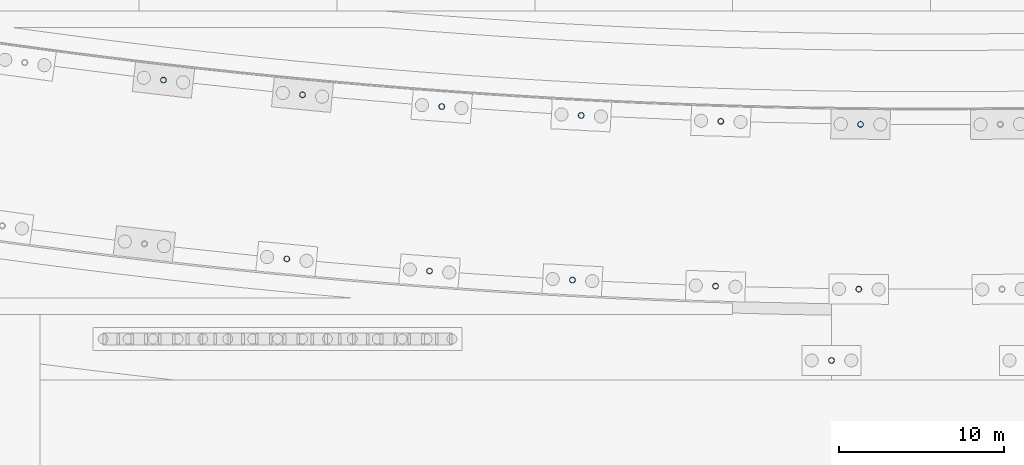
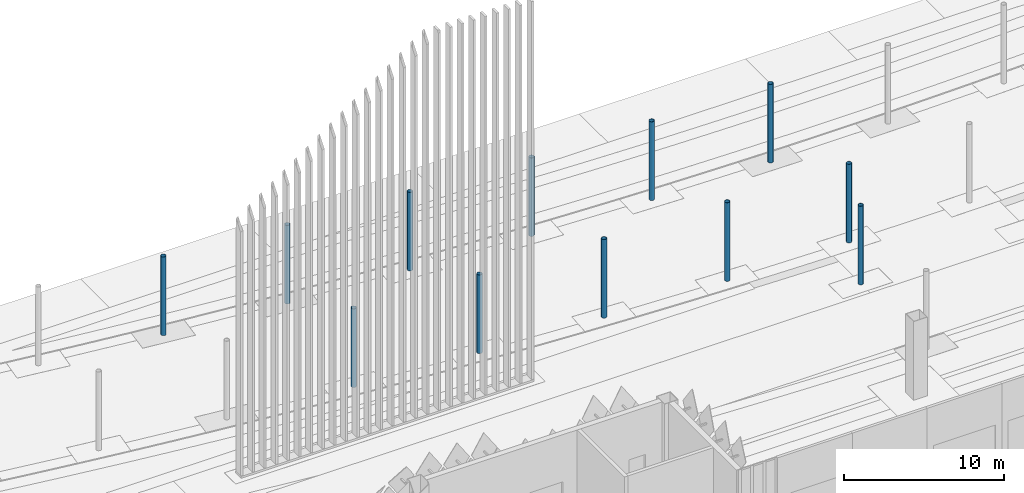
# One storey, part 27 of 198: 12 columns.
"""IFC4 building model written with IfcOpenShell, lengths in metres."""

from ifc_helpers import new_model, si_unit, direction, frame, origin, origin_2d, place, context, subcontext, project, spatial, hollow_circle, extrude, material, material_profile, profile_set, type_object, element, save


model = new_model("IFC4")

# Units and contexts
model_context = context("Model", 3, precision=1e-05, world=origin(), true_north=direction((0.0, 1.0)))
body_context = subcontext(model_context, "Body", "Model", "MODEL_VIEW")
ifc_project = project(units=[si_unit("LENGTHUNIT", "METRE"), si_unit("AREAUNIT", "SQUARE_METRE"), si_unit("VOLUMEUNIT", "CUBIC_METRE"), si_unit("PLANEANGLEUNIT", "RADIAN"), si_unit("MASSUNIT", "GRAM", prefix="KILO")], contexts=[model_context])

# Site, building, storey
site_placement = place(None, origin())
site = spatial("IfcSite", under=ifc_project, at=site_placement, CompositionType="ELEMENT")
building_placement = place(site_placement, origin())
building = spatial("IfcBuilding", under=site, at=building_placement, Name="Opaline Strait Convention Centre", CompositionType="ELEMENT")
storey_placement = place(building_placement, origin())
storey = spatial("IfcBuildingStorey", under=building, at=storey_placement, Name="L00", CompositionType="ELEMENT", Elevation=0.0)

# Columns
ifc_material = material(Name="Steel Q355B", Category="steel")
ifc_material_profile = material_profile(ifc_material, hollow_circle(Radius=0.175537109375, WallThickness=0.01611328125, at=origin_2d()), Name="CHS 351x16")
ifc_profile_set = profile_set([ifc_material_profile], Name="Steel Q355B")
column_type = type_object("IfcColumnType", Name="Arcade column CHS 351x16", PredefinedType="COLUMN", material=ifc_profile_set)
for number, where, z_axis, x_axis, name in (
    (1, (140.96142578125, 171.358642578125, 0.0), (0.0, 0.0, 1.0), (1.0, 0.0, 0.0), "Arcade column SC-I06"),
    (2, (149.6181640625, 170.625732421875, 0.0), (0.0, 0.0, 1.0), (1.0, 0.0, 0.0), "Arcade column SC-I07"),
    (3, (158.28857421875, 170.074951171875, 0.0), (0.0, 0.0, 1.0), (1.0, 0.0, 0.0), "Arcade column SC-I08"),
    (4, (166.968994140625, 169.70703125, 0.0), (0.0, 0.0, 1.0), (1.0, 0.0, 0.0), "Arcade column SC-I09"),
    (5, (175.65576171875, 169.52294921875, 0.0), (0.0, 0.0, 1.0), (1.0, 0.0, 0.0), "Arcade column SC-I10"),
    (6, (133.47802734375, 182.205078125, 0.0), (0.0, 0.0, 1.0), (1.0, 0.0, 0.0), "Arcade column SC-O05"),
    (7, (141.909423828125, 181.313720703125, 0.0), (0.0, 0.0, 1.0), (1.0, 0.0, 0.0), "Arcade column SC-O06"),
    (8, (150.357177734375, 180.598388671875, 0.0), (0.0, 0.0, 1.0), (1.0, 0.0, 0.0), "Arcade column SC-O07"),
    (9, (158.8173828125, 180.060791015625, 0.0), (0.0, 0.0, 1.0), (1.0, 0.0, 0.0), "Arcade column SC-O08"),
    (10, (167.28662109375, 179.7021484375, 0.0), (0.0, 0.0, 1.0), (1.0, 0.0, 0.0), "Arcade column SC-O09"),
    (11, (175.76171875, 179.5224609375, 0.0), (0.0, 0.0, 1.0), (1.0, 0.0, 0.0), "Arcade column SC-O10"),
    (12, (174.0, 165.199951171875, 0.0), (0.0, 0.0, 1.0), (1.0, 0.0, 0.0), "Arcade walk column SC-WW2"),
):
    element("IfcColumn", number, at=place(storey_placement, frame(where, z_axis=z_axis, x_axis=x_axis)), inside=storey, type_object=column_type, Name=name, ObjectType="SCC1", PredefinedType="COLUMN", context=body_context, shape_type="SweptSolid", body=[
        extrude(hollow_circle(Radius=0.175537109375, WallThickness=0.01611328125, at=origin_2d()), origin(), (0.0, 0.0, 1.0), 6.0),
    ])

save(model, "model.ifc")
